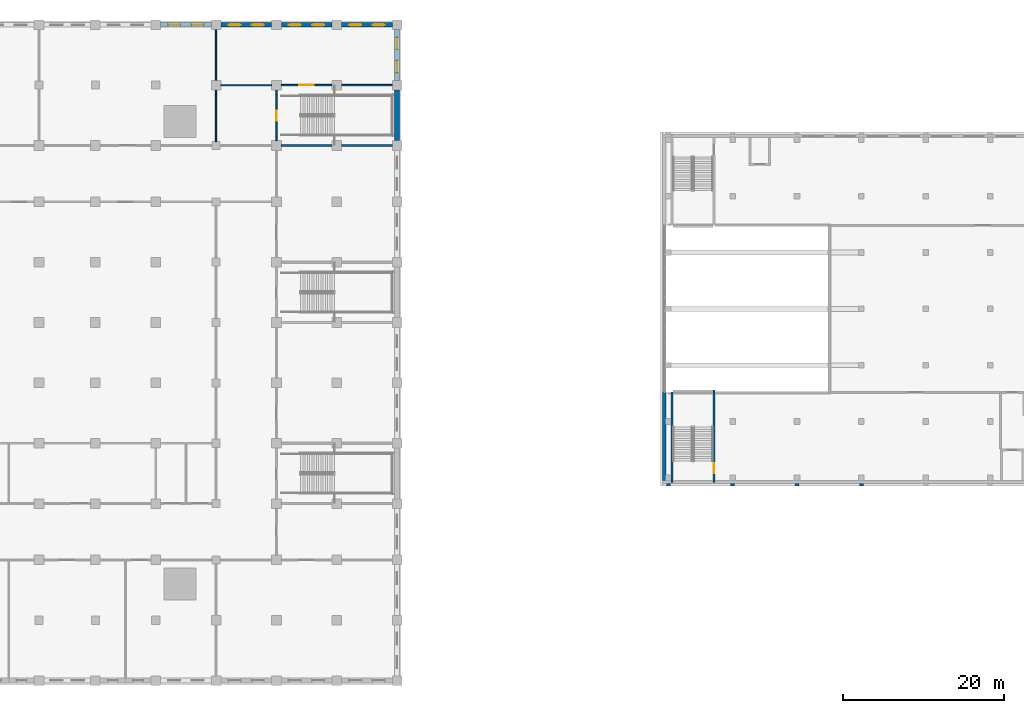
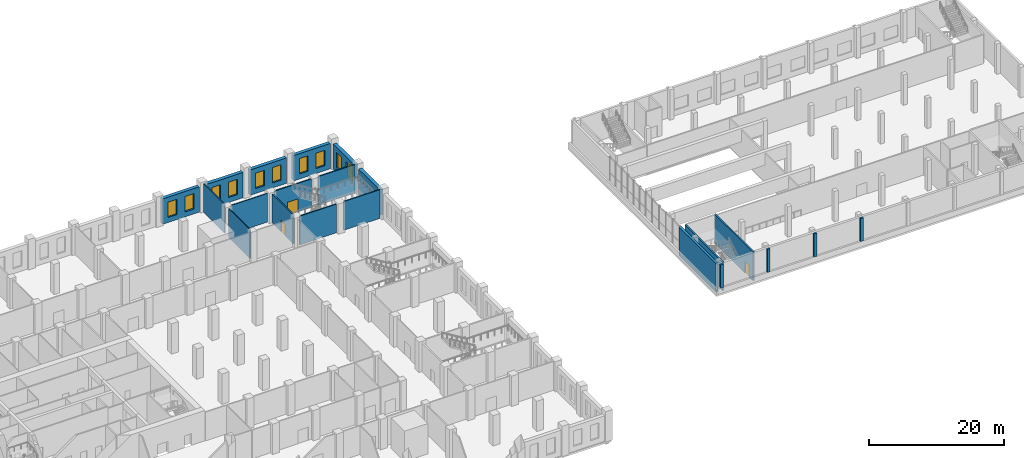
# One storey, part 13 of 35: 21 walls, 10 windows, 3 doors, 13 openings.
"""IFC4 building model written with IfcOpenShell, lengths in metres."""

import ifcopenshell
import ifcopenshell.guid

model = None  # the IFC model being written
_history = None  # IfcOwnerHistory: only IFC2X3 demands one
_inside = {}  # id of a spatial element -> (the spatial element, [elements in it])
_under = {}  # id of a project, library or spatial element -> (it, [spatial elements below it])
_declared = {}  # id of a project -> (the project, [libraries it declares])
_typed = {}  # id of a type object -> (the type object, [elements of that type])
_made_of = {}  # id of a material, layer set ... -> (it, [elements and type objects made of it])


def new_model(schema):
    """Start an empty IFC model of exactly this schema.

    Asked for "IFC4X3", IfcOpenShell would pick the latest addendum, in which some entities
    have other attributes; the version numbers below select the first issue.
    IFC2X3 requires an IfcOwnerHistory on every rooted entity: one is made here for all.
    """
    global model, _history
    if schema == "IFC4X3":
        model = ifcopenshell.file(schema_version=(4, 3, 0, 0))
    else:
        model = ifcopenshell.file(schema=schema)
    _inside.clear()
    _under.clear()
    _declared.clear()
    _typed.clear()
    _made_of.clear()
    _history = None
    if model.schema == "IFC2X3":
        org = make("IfcOrganization", Name="unknown")
        user = make(
            "IfcPersonAndOrganization",
            ThePerson=make("IfcPerson", FamilyName="unknown"),
            TheOrganization=org,
        )
        app = make(
            "IfcApplication",
            ApplicationDeveloper=org,
            Version="unknown",
            ApplicationFullName="unknown",
            ApplicationIdentifier="unknown",
        )
        _history = make(
            "IfcOwnerHistory",
            OwningUser=user,
            OwningApplication=app,
            ChangeAction="ADDED",
            CreationDate=0,
        )
    return model


def make(cls, **values):
    """One entity of the class cls with the attributes given. An attribute that is None is left unset."""
    return model.create_entity(
        cls, **{name: value for name, value in values.items() if value is not None}
    )


def rooted(cls, **values):
    """An entity with a GlobalId (a new one), such as an element, a storey or a relation."""
    return make(cls, GlobalId=ifcopenshell.guid.new(), OwnerHistory=_history, **values)


def si_unit(unit_type, name, prefix=None):
    """IfcSIUnit, for example si_unit("LENGTHUNIT", "METRE", prefix="MILLI")."""
    return make("IfcSIUnit", UnitType=unit_type, Prefix=prefix, Name=name)


def assignment(units):
    """IfcUnitAssignment: the units of a project."""
    return None if units is None else make("IfcUnitAssignment", Units=units)


def point(xyz):
    """IfcCartesianPoint."""
    return None if xyz is None else make("IfcCartesianPoint", Coordinates=xyz)


def direction(xyz):
    """IfcDirection."""
    return None if xyz is None else make("IfcDirection", DirectionRatios=xyz)


def frame(location, z_axis=None, x_axis=None):
    """IfcAxis2Placement3D, a coordinate frame: its origin and axes. An axis left out is left unset."""
    return make(
        "IfcAxis2Placement3D",
        Location=point(location),
        Axis=direction(z_axis),
        RefDirection=direction(x_axis),
    )


def frame_2d(location, x_axis=None):
    """IfcAxis2Placement2D, a coordinate frame in the plane: its origin and x axis."""
    return make(
        "IfcAxis2Placement2D", Location=point(location), RefDirection=direction(x_axis)
    )


def origin():
    """The frame at (0, 0, 0) with its axes left unset."""
    return frame((0.0, 0.0, 0.0))


def place(relative_to, where):
    """IfcLocalPlacement: puts the frame where relative to a parent placement (None: the world)."""
    return make(
        "IfcLocalPlacement", PlacementRelTo=relative_to, RelativePlacement=where
    )


def context(
    kind, dimensions, precision=None, world=None, true_north=None, identifier=None
):
    """IfcGeometricRepresentationContext, for example the 3D "Model" context."""
    return make(
        "IfcGeometricRepresentationContext",
        ContextIdentifier=identifier,
        ContextType=kind,
        CoordinateSpaceDimension=dimensions,
        Precision=precision,
        WorldCoordinateSystem=world,
        TrueNorth=true_north,
    )


def subcontext(parent, identifier, kind, view, scale=None):
    """IfcGeometricRepresentationSubContext, for example "Body" below "Model"."""
    return make(
        "IfcGeometricRepresentationSubContext",
        ContextIdentifier=identifier,
        ContextType=kind,
        ParentContext=parent,
        TargetScale=scale,
        TargetView=view,
    )


def project(units=None, contexts=None):
    """IfcProject with its units and contexts."""
    return rooted(
        "IfcProject",
        Name="project",
        RepresentationContexts=contexts,
        UnitsInContext=assignment(units),
    )


def spatial(cls, under=None, at=None, **own):
    """A site, building, storey or space (cls), placed at a placement, below another one or the project."""
    s = rooted(cls, ObjectPlacement=at, **own)
    if under is not None:
        _under.setdefault(under.id(), (under, []))[1].append(s)
    return s


def profile(cls, at=None, kind="AREA", **sizes):
    """A parametric profile (cls). Its sizes go by their IFC names, for example OverallWidth=200.0."""
    return make(cls, ProfileType=kind, Position=at, **sizes)


def rectangle(**sizes):
    """IfcRectangleProfileDef."""
    return profile("IfcRectangleProfileDef", **sizes)


def extrude(swept, where, along, depth):
    """IfcExtrudedAreaSolid: the profile swept, set in the frame where, extruded along a direction by depth."""
    return make(
        "IfcExtrudedAreaSolid",
        SweptArea=swept,
        Position=where,
        ExtrudedDirection=direction(along),
        Depth=depth,
    )


def shape(context_of_items, identifier, shape_type, items):
    """IfcShapeRepresentation: the items that make up one representation, for example the "Body"."""
    return make(
        "IfcShapeRepresentation",
        ContextOfItems=context_of_items,
        RepresentationIdentifier=identifier,
        RepresentationType=shape_type,
        Items=items,
    )


def material(Name=None, Category=None):
    """IfcMaterial."""
    return make("IfcMaterial", Name=Name, Category=Category)


def layer(
    of_material, thickness, ventilated=None, Name=None, Category=None, Priority=None
):
    """IfcMaterialLayer: one layer of a wall or slab, of a material (None: an air gap)."""
    return make(
        "IfcMaterialLayer",
        Material=of_material,
        LayerThickness=thickness,
        IsVentilated=ventilated,
        Name=Name,
        Category=Category,
        Priority=Priority,
    )


def layer_set(layers, Name=None):
    """IfcMaterialLayerSet."""
    return make("IfcMaterialLayerSet", MaterialLayers=layers, LayerSetName=Name)


def made_of(thing, what):
    """Note that an element or type object is made of a material, layer set ...; save() writes the relation."""
    if what is not None:
        _made_of.setdefault(what.id(), (what, []))[1].append(thing)
    return thing


def type_object(cls, material=None, **own):
    """A type object (cls), such as IfcWallType, which elements share."""
    return made_of(rooted(cls, **own), material)


def element(
    cls,
    number,
    at=None,
    inside=None,
    cuts=None,
    type_object=None,
    material=None,
    context=None,
    identifier="Body",
    shape_type=None,
    held_by="IfcProductDefinitionShape",
    body=None,
    shapes=None,
    **own,
):
    """One element of the class cls, such as IfcWall. Its Tag is "e" and its number.

    at: its placement. inside: the storey or other place that contains it. cuts: it is an
    opening in that element (IfcRelVoidsElement). A single representation is given by context,
    identifier, shape_type and body (its items); several are given by shapes. held_by: the class
    of the entity that holds the representations. save() writes the other relations.
    """
    e = rooted(cls, Tag="e%d" % number, ObjectPlacement=at, **own)
    if body is not None:
        shapes = [shape(context, identifier, shape_type, body)]
    if shapes is not None:
        e.Representation = make(held_by, Representations=shapes)
    if inside is not None:
        _inside.setdefault(inside.id(), (inside, []))[1].append(e)
    if cuts is not None:
        rooted(
            "IfcRelVoidsElement", RelatingBuildingElement=cuts, RelatedOpeningElement=e
        )
    if type_object is not None:
        _typed.setdefault(type_object.id(), (type_object, []))[1].append(e)
    return made_of(e, material)


def fill(opening, filler):
    """IfcRelFillsElement: the door or window that sits in an opening."""
    return rooted(
        "IfcRelFillsElement",
        RelatingOpeningElement=opening,
        RelatedBuildingElement=filler,
    )


def aggregate(whole, parts):
    """IfcRelAggregates: a whole, such as a stair, and the parts it consists of."""
    return rooted("IfcRelAggregates", RelatingObject=whole, RelatedObjects=parts)


def save(model, path):
    """Write the relations noted so far, then the file.

    IfcRelAggregates (storeys below a building ...), IfcRelContainedInSpatialStructure (elements
    in a storey), IfcRelDefinesByType, IfcRelAssociatesMaterial and IfcRelDeclares: one each for
    every whole, place, type object, material and project.
    """
    for whole, parts in _under.values():
        aggregate(whole, parts)
    for where, things in _inside.values():
        rooted(
            "IfcRelContainedInSpatialStructure",
            RelatedElements=things,
            RelatingStructure=where,
        )
    for kind, things in _typed.values():
        rooted("IfcRelDefinesByType", RelatedObjects=things, RelatingType=kind)
    for what, things in _made_of.values():
        rooted("IfcRelAssociatesMaterial", RelatedObjects=things, RelatingMaterial=what)
    for by, libraries in _declared.values():
        rooted("IfcRelDeclares", RelatingContext=by, RelatedDefinitions=libraries)
    model.write(path)


model = new_model("IFC4")

# Units and contexts
model_context = context("Model", 3, precision=1e-05, world=origin(), true_north=direction((0.0, 1.0)))
body_context = subcontext(model_context, "Body", "Model", "MODEL_VIEW")
ifc_project = project(units=[si_unit("LENGTHUNIT", "METRE"), si_unit("AREAUNIT", "SQUARE_METRE"), si_unit("VOLUMEUNIT", "CUBIC_METRE"), si_unit("PLANEANGLEUNIT", "RADIAN"), si_unit("MASSUNIT", "GRAM", prefix="KILO")], contexts=[model_context])

# Site, building, storey
site_placement = place(None, origin())
site = spatial("IfcSite", under=ifc_project, at=site_placement, CompositionType="ELEMENT")
building_placement = place(site_placement, origin())
building = spatial("IfcBuilding", under=site, at=building_placement, Name="Tamorin Gate", CompositionType="ELEMENT")
storey_placement = place(building_placement, frame((0.0, 0.0, 8.0)))
storey = spatial("IfcBuildingStorey", under=building, at=storey_placement, Name="L01", CompositionType="ELEMENT", Elevation=8.0)

# Walls
ifc_material_1 = material(Name="Concrete C40/50", Category="concrete")
ifc_layer_1 = layer(ifc_material_1, 0.39990234375)
ifc_layer_set_1 = layer_set([ifc_layer_1], Name="Board-marked concrete facade wall 400 C40/50")
wall_type_1 = type_object("IfcWallType", Name="Board-marked concrete facade wall 400 C40/50", PredefinedType="SOLIDWALL", material=ifc_layer_set_1)
wall_1_placement = place(storey_placement, frame((145.199951171875, 55.39990234375, 0.0), z_axis=(0.0, 0.0, 1.0), x_axis=(0.0, 1.0, 0.0)))
element("IfcWall", 1, at=wall_1_placement, inside=storey, type_object=wall_type_1, Name="Facade wall", PredefinedType="SOLIDWALL", context=body_context, shape_type="SweptSolid", body=[
    extrude(rectangle(XDim=10.93017578125, YDim=0.39990234375, at=frame_2d((5.465087890625, 0.0))), origin(), (0.0, 0.0, 1.0), 5.199951171875),
])
ifc_layer_2 = layer(ifc_material_1, 0.25)
ifc_layer_set_2 = layer_set([ifc_layer_2], Name="Museum stair and lift enclosure wall 250 C40/50")
wall_type_2 = type_object("IfcWallType", Name="Museum stair and lift enclosure wall 250 C40/50", PredefinedType="SHEAR", material=ifc_layer_set_2)
wall_2_placement = place(storey_placement, frame((146.175048828125, 55.14990234375, 0.0), z_axis=(0.0, 0.0, 1.0), x_axis=(0.0, 1.0, 0.0)))
element("IfcWall", 2, at=wall_2_placement, inside=storey, type_object=wall_type_2, Name="Stair PS8 wall", PredefinedType="SHEAR", context=body_context, shape_type="SweptSolid", body=[
    extrude(rectangle(XDim=11.210205078125, YDim=0.25, at=frame_2d((5.60498046875, 0.0))), origin(), (0.0, 0.0, 1.0), 5.199951171875),
])

# Wall, opening, door
wall_3_placement = place(storey_placement, frame((151.375, 55.14990234375, 0.0), z_axis=(0.0, 0.0, 1.0), x_axis=(0.0, 1.0, 0.0)))
wall_3 = element("IfcWall", 3, at=wall_3_placement, inside=storey, type_object=wall_type_2, Name="Stair PS8 wall", PredefinedType="SHEAR", context=body_context, shape_type="SweptSolid", body=[
    extrude(rectangle(XDim=11.460205078125, YDim=0.25, at=frame_2d((5.72998046875, 0.0))), origin(), (0.0, 0.0, 1.0), 5.199951171875),
])
opening_1_placement = place(wall_3_placement, frame((1.14990234375, 0.0, 0.0)))
opening_1 = element("IfcOpeningElement", 4, at=opening_1_placement, cuts=wall_3, Name="Opening DM15", PredefinedType="OPENING", context=body_context, shape_type="SweptSolid", body=[
    extrude(rectangle(XDim=1.199951171875, YDim=2.10009765625, at=frame_2d((0.60009765625, 1.050048828125))), frame((0.0, 0.135009765625, 0.0), z_axis=(0.0, -1.0, 0.0), x_axis=(1.0, 0.0, 0.0)), (0.0, 0.0, 1.0), 0.27001953125),
])
ifc_material_2 = material(Name="Steel, painted", Category="steel")
door_type_1 = type_object("IfcDoorType", Name="Museum stair door 1200x2100 FD90", OperationType="SINGLE_SWING_LEFT", PredefinedType="DOOR", material=ifc_material_2)
door_1_placement = place(opening_1_placement, origin())
door_1 = element("IfcDoor", 5, at=door_1_placement, inside=storey, type_object=door_type_1, Name="Stair door", OperationType="SINGLE_SWING_LEFT", OverallHeight=2.10009765625, OverallWidth=1.199951171875, PredefinedType="DOOR", context=body_context, shape_type="SweptSolid", body=[
    extrude(rectangle(XDim=1.199951171875, YDim=2.10009765625, at=frame_2d((0.60009765625, 1.050048828125))), frame((0.0, 0.02490234375, 0.0), z_axis=(0.0, -1.0, 0.0), x_axis=(1.0, 0.0, 0.0)), (0.0, 0.0, 1.0), 0.050048828125),
])
fill(opening_1, door_1)

# Walls
ifc_material_3 = material(Name="Concrete masonry C20/25", Category="masonry")
ifc_layer_3 = layer(ifc_material_3, 0.14990234375)
ifc_layer_set_3 = layer_set([ifc_layer_3], Name="Partition 150")
wall_type_3 = type_object("IfcWallType", Name="Partition 150", PredefinedType="PARTITIONING", material=ifc_layer_set_3)
wall_4_placement = place(storey_placement, frame((90.10009765625, 104.5, 0.0), z_axis=(0.0, 0.0, 1.0), x_axis=(1.0, 0.0, 0.0)))
element("IfcWall", 6, at=wall_4_placement, inside=storey, type_object=wall_type_3, Name="Partition 150 L01", PredefinedType="PARTITIONING", context=body_context, shape_type="SweptSolid", body=[
    extrude(rectangle(XDim=6.2998046875, YDim=0.14990234375, at=frame_2d((3.14990234375, 0.0))), origin(), (0.0, 0.0, 1.0), 5.199951171875),
])
wall_5_placement = place(storey_placement, frame((89.5, 97.5, 0.0), z_axis=(0.0, 0.0, 1.0), x_axis=(0.0, 1.0, 0.0)))
element("IfcWall", 7, at=wall_5_placement, inside=storey, type_object=wall_type_3, Name="Partition 150 L01", PredefinedType="PARTITIONING", context=body_context, shape_type="SweptSolid", body=[
    extrude(rectangle(XDim=6.39990234375, YDim=0.14990234375, at=frame_2d((3.199951171875, 0.0))), origin(), (0.0, 0.0, 1.0), 5.199951171875),
])
wall_6_placement = place(storey_placement, frame((89.5, 105.10009765625, 0.0), z_axis=(0.0, 0.0, 1.0), x_axis=(0.0, 1.0, 0.0)))
element("IfcWall", 8, at=wall_6_placement, inside=storey, type_object=wall_type_3, Name="Partition 150 L01", PredefinedType="PARTITIONING", context=body_context, shape_type="SweptSolid", body=[
    extrude(rectangle(XDim=6.2998046875, YDim=0.14990234375, at=frame_2d((3.14990234375, 0.0))), origin(), (0.0, 0.0, 1.0), 5.199951171875),
])

# Wall, openings, windows
ifc_material_4 = material(Name="Precast concrete C40/50", Category="concrete")
ifc_layer_4 = layer(ifc_material_4, 0.60009765625)
ifc_layer_set_4 = layer_set([ifc_layer_4], Name="Precast concrete C40/50")
wall_type_4 = type_object("IfcWallType", Name="Precast plinth wall 600", PredefinedType="PARTITIONING", material=ifc_layer_set_4)
wall_7_placement = place(storey_placement, frame((82.60009765625, 112.0, 0.0), z_axis=(0.0, 0.0, 1.0), x_axis=(1.0, 0.0, 0.0)))
wall_7 = element("IfcWall", 9, at=wall_7_placement, inside=storey, type_object=wall_type_4, Name="Precast plinth wall 600 L01", PredefinedType="PARTITIONING", context=body_context, shape_type="SweptSolid", body=[
    extrude(rectangle(XDim=6.2998046875, YDim=0.60009765625, at=frame_2d((3.14990234375, 0.0))), origin(), (0.0, 0.0, 1.0), 4.60009765625),
])
opening_2_placement = place(wall_7_placement, frame((0.950927734375, 0.0, 0.89990234375)))
opening_2 = element("IfcOpeningElement", 10, at=opening_2_placement, cuts=wall_7, Name="Opening PWN5", PredefinedType="OPENING", context=body_context, shape_type="SweptSolid", body=[
    extrude(rectangle(XDim=1.5, YDim=2.800048828125, at=frame_2d((0.75, 1.39990234375))), frame((0.0, 0.31005859375, 0.0), z_axis=(0.0, -1.0, 0.0), x_axis=(1.0, 0.0, 0.0)), (0.0, 0.0, 1.0), 0.6201171875),
])
opening_3_placement = place(wall_7_placement, frame((3.84912109375, 0.0, 0.89990234375)))
opening_3 = element("IfcOpeningElement", 11, at=opening_3_placement, cuts=wall_7, Name="Opening PWN5", PredefinedType="OPENING", context=body_context, shape_type="SweptSolid", body=[
    extrude(rectangle(XDim=1.5, YDim=2.800048828125, at=frame_2d((0.75, 1.39990234375))), frame((0.0, 0.31005859375, 0.0), z_axis=(0.0, -1.0, 0.0), x_axis=(1.0, 0.0, 0.0)), (0.0, 0.0, 1.0), 0.6201171875),
])
ifc_material_5 = material(Name="Aluminium and glass", Category="aluminium")
window_type = type_object("IfcWindowType", Name="Plinth window 1500x2800", PartitioningType="DOUBLE_PANEL_VERTICAL", PredefinedType="WINDOW", material=ifc_material_5)
window_1_placement = place(opening_2_placement, origin())
window_1 = element("IfcWindow", 12, at=window_1_placement, inside=storey, type_object=window_type, Name="Plinth window 1500x2800", OverallHeight=2.800048828125, OverallWidth=1.5, PartitioningType="SINGLE_PANEL", PredefinedType="WINDOW", context=body_context, shape_type="SweptSolid", body=[
    extrude(rectangle(XDim=1.5, YDim=2.800048828125, at=frame_2d((0.75, 1.39990234375))), frame((0.0, 0.030029296875, 0.0), z_axis=(0.0, -1.0, 0.0), x_axis=(1.0, 0.0, 0.0)), (0.0, 0.0, 1.0), 0.06005859375),
])
fill(opening_2, window_1)
window_2_placement = place(opening_3_placement, origin())
window_2 = element("IfcWindow", 13, at=window_2_placement, inside=storey, type_object=window_type, Name="Plinth window 1500x2800", OverallHeight=2.800048828125, OverallWidth=1.5, PartitioningType="SINGLE_PANEL", PredefinedType="WINDOW", context=body_context, shape_type="SweptSolid", body=[
    extrude(rectangle(XDim=1.5, YDim=2.800048828125, at=frame_2d((0.75, 1.39990234375))), frame((0.0, 0.030029296875, 0.0), z_axis=(0.0, -1.0, 0.0), x_axis=(1.0, 0.0, 0.0)), (0.0, 0.0, 1.0), 0.06005859375),
])
fill(opening_3, window_2)

wall_8_placement = place(storey_placement, frame((90.10009765625, 112.0, 0.0), z_axis=(0.0, 0.0, 1.0), x_axis=(1.0, 0.0, 0.0)))
wall_8 = element("IfcWall", 14, at=wall_8_placement, inside=storey, type_object=wall_type_4, Name="Precast plinth wall 600 L01", PredefinedType="PARTITIONING", context=body_context, shape_type="SweptSolid", body=[
    extrude(rectangle(XDim=6.2998046875, YDim=0.60009765625, at=frame_2d((3.14990234375, 0.0))), origin(), (0.0, 0.0, 1.0), 4.60009765625),
])
opening_4_placement = place(wall_8_placement, frame((0.950927734375, 0.0, 0.89990234375)))
opening_4 = element("IfcOpeningElement", 15, at=opening_4_placement, cuts=wall_8, Name="Opening PWN5", PredefinedType="OPENING", context=body_context, shape_type="SweptSolid", body=[
    extrude(rectangle(XDim=1.5, YDim=2.800048828125, at=frame_2d((0.75, 1.39990234375))), frame((0.0, 0.31005859375, 0.0), z_axis=(0.0, -1.0, 0.0), x_axis=(1.0, 0.0, 0.0)), (0.0, 0.0, 1.0), 0.6201171875),
])
opening_5_placement = place(wall_8_placement, frame((3.84912109375, 0.0, 0.89990234375)))
opening_5 = element("IfcOpeningElement", 16, at=opening_5_placement, cuts=wall_8, Name="Opening PWN5", PredefinedType="OPENING", context=body_context, shape_type="SweptSolid", body=[
    extrude(rectangle(XDim=1.5, YDim=2.800048828125, at=frame_2d((0.75, 1.39990234375))), frame((0.0, 0.31005859375, 0.0), z_axis=(0.0, -1.0, 0.0), x_axis=(1.0, 0.0, 0.0)), (0.0, 0.0, 1.0), 0.6201171875),
])
window_3_placement = place(opening_4_placement, origin())
window_3 = element("IfcWindow", 17, at=window_3_placement, inside=storey, type_object=window_type, Name="Plinth window 1500x2800", OverallHeight=2.800048828125, OverallWidth=1.5, PartitioningType="SINGLE_PANEL", PredefinedType="WINDOW", context=body_context, shape_type="SweptSolid", body=[
    extrude(rectangle(XDim=1.5, YDim=2.800048828125, at=frame_2d((0.75, 1.39990234375))), frame((0.0, 0.030029296875, 0.0), z_axis=(0.0, -1.0, 0.0), x_axis=(1.0, 0.0, 0.0)), (0.0, 0.0, 1.0), 0.06005859375),
])
fill(opening_4, window_3)
window_4_placement = place(opening_5_placement, origin())
window_4 = element("IfcWindow", 18, at=window_4_placement, inside=storey, type_object=window_type, Name="Plinth window 1500x2800", OverallHeight=2.800048828125, OverallWidth=1.5, PartitioningType="SINGLE_PANEL", PredefinedType="WINDOW", context=body_context, shape_type="SweptSolid", body=[
    extrude(rectangle(XDim=1.5, YDim=2.800048828125, at=frame_2d((0.75, 1.39990234375))), frame((0.0, 0.030029296875, 0.0), z_axis=(0.0, -1.0, 0.0), x_axis=(1.0, 0.0, 0.0)), (0.0, 0.0, 1.0), 0.06005859375),
])
fill(opening_5, window_4)

wall_9_placement = place(storey_placement, frame((97.60009765625, 112.0, 0.0), z_axis=(0.0, 0.0, 1.0), x_axis=(1.0, 0.0, 0.0)))
wall_9 = element("IfcWall", 19, at=wall_9_placement, inside=storey, type_object=wall_type_4, Name="Precast plinth wall 600 L01", PredefinedType="PARTITIONING", context=body_context, shape_type="SweptSolid", body=[
    extrude(rectangle(XDim=6.2998046875, YDim=0.60009765625, at=frame_2d((3.14990234375, 0.0))), origin(), (0.0, 0.0, 1.0), 4.60009765625),
])
opening_6_placement = place(wall_9_placement, frame((0.950927734375, 0.0, 0.89990234375)))
opening_6 = element("IfcOpeningElement", 20, at=opening_6_placement, cuts=wall_9, Name="Opening PWN5", PredefinedType="OPENING", context=body_context, shape_type="SweptSolid", body=[
    extrude(rectangle(XDim=1.5, YDim=2.800048828125, at=frame_2d((0.75, 1.39990234375))), frame((0.0, 0.31005859375, 0.0), z_axis=(0.0, -1.0, 0.0), x_axis=(1.0, 0.0, 0.0)), (0.0, 0.0, 1.0), 0.6201171875),
])
opening_7_placement = place(wall_9_placement, frame((3.84912109375, 0.0, 0.89990234375)))
opening_7 = element("IfcOpeningElement", 21, at=opening_7_placement, cuts=wall_9, Name="Opening PWN5", PredefinedType="OPENING", context=body_context, shape_type="SweptSolid", body=[
    extrude(rectangle(XDim=1.5, YDim=2.800048828125, at=frame_2d((0.75, 1.39990234375))), frame((0.0, 0.31005859375, 0.0), z_axis=(0.0, -1.0, 0.0), x_axis=(1.0, 0.0, 0.0)), (0.0, 0.0, 1.0), 0.6201171875),
])
window_5_placement = place(opening_6_placement, origin())
window_5 = element("IfcWindow", 22, at=window_5_placement, inside=storey, type_object=window_type, Name="Plinth window 1500x2800", OverallHeight=2.800048828125, OverallWidth=1.5, PartitioningType="SINGLE_PANEL", PredefinedType="WINDOW", context=body_context, shape_type="SweptSolid", body=[
    extrude(rectangle(XDim=1.5, YDim=2.800048828125, at=frame_2d((0.75, 1.39990234375))), frame((0.0, 0.030029296875, 0.0), z_axis=(0.0, -1.0, 0.0), x_axis=(1.0, 0.0, 0.0)), (0.0, 0.0, 1.0), 0.06005859375),
])
fill(opening_6, window_5)
window_6_placement = place(opening_7_placement, origin())
window_6 = element("IfcWindow", 23, at=window_6_placement, inside=storey, type_object=window_type, Name="Plinth window 1500x2800", OverallHeight=2.800048828125, OverallWidth=1.5, PartitioningType="SINGLE_PANEL", PredefinedType="WINDOW", context=body_context, shape_type="SweptSolid", body=[
    extrude(rectangle(XDim=1.5, YDim=2.800048828125, at=frame_2d((0.75, 1.39990234375))), frame((0.0, 0.030029296875, 0.0), z_axis=(0.0, -1.0, 0.0), x_axis=(1.0, 0.0, 0.0)), (0.0, 0.0, 1.0), 0.06005859375),
])
fill(opening_7, window_6)

wall_10_placement = place(storey_placement, frame((105.10009765625, 112.0, 0.0), z_axis=(0.0, 0.0, 1.0), x_axis=(1.0, 0.0, 0.0)))
wall_10 = element("IfcWall", 24, at=wall_10_placement, inside=storey, type_object=wall_type_4, Name="Precast plinth wall 600 L01", PredefinedType="PARTITIONING", context=body_context, shape_type="SweptSolid", body=[
    extrude(rectangle(XDim=6.2998046875, YDim=0.60009765625, at=frame_2d((3.14990234375, 0.0))), origin(), (0.0, 0.0, 1.0), 4.60009765625),
])
opening_8_placement = place(wall_10_placement, frame((0.950927734375, 0.0, 0.89990234375)))
opening_8 = element("IfcOpeningElement", 25, at=opening_8_placement, cuts=wall_10, Name="Opening PWN5", PredefinedType="OPENING", context=body_context, shape_type="SweptSolid", body=[
    extrude(rectangle(XDim=1.5, YDim=2.800048828125, at=frame_2d((0.75, 1.39990234375))), frame((0.0, 0.31005859375, 0.0), z_axis=(0.0, -1.0, 0.0), x_axis=(1.0, 0.0, 0.0)), (0.0, 0.0, 1.0), 0.6201171875),
])
opening_9_placement = place(wall_10_placement, frame((3.84912109375, 0.0, 0.89990234375)))
opening_9 = element("IfcOpeningElement", 26, at=opening_9_placement, cuts=wall_10, Name="Opening PWN5", PredefinedType="OPENING", context=body_context, shape_type="SweptSolid", body=[
    extrude(rectangle(XDim=1.5, YDim=2.800048828125, at=frame_2d((0.75, 1.39990234375))), frame((0.0, 0.31005859375, 0.0), z_axis=(0.0, -1.0, 0.0), x_axis=(1.0, 0.0, 0.0)), (0.0, 0.0, 1.0), 0.6201171875),
])
window_7_placement = place(opening_8_placement, origin())
window_7 = element("IfcWindow", 27, at=window_7_placement, inside=storey, type_object=window_type, Name="Plinth window 1500x2800", OverallHeight=2.800048828125, OverallWidth=1.5, PartitioningType="SINGLE_PANEL", PredefinedType="WINDOW", context=body_context, shape_type="SweptSolid", body=[
    extrude(rectangle(XDim=1.5, YDim=2.800048828125, at=frame_2d((0.75, 1.39990234375))), frame((0.0, 0.030029296875, 0.0), z_axis=(0.0, -1.0, 0.0), x_axis=(1.0, 0.0, 0.0)), (0.0, 0.0, 1.0), 0.06005859375),
])
fill(opening_8, window_7)
window_8_placement = place(opening_9_placement, origin())
window_8 = element("IfcWindow", 28, at=window_8_placement, inside=storey, type_object=window_type, Name="Plinth window 1500x2800", OverallHeight=2.800048828125, OverallWidth=1.5, PartitioningType="SINGLE_PANEL", PredefinedType="WINDOW", context=body_context, shape_type="SweptSolid", body=[
    extrude(rectangle(XDim=1.5, YDim=2.800048828125, at=frame_2d((0.75, 1.39990234375))), frame((0.0, 0.030029296875, 0.0), z_axis=(0.0, -1.0, 0.0), x_axis=(1.0, 0.0, 0.0)), (0.0, 0.0, 1.0), 0.06005859375),
])
fill(opening_9, window_8)

# Wall
wall_11_placement = place(storey_placement, frame((112.0, 97.60009765625, 0.0), z_axis=(0.0, 0.0, 1.0), x_axis=(0.0, 1.0, 0.0)))
element("IfcWall", 29, at=wall_11_placement, inside=storey, type_object=wall_type_4, Name="Precast plinth wall 600 L01", PredefinedType="PARTITIONING", context=body_context, shape_type="SweptSolid", body=[
    extrude(rectangle(XDim=6.2998046875, YDim=0.60009765625, at=frame_2d((3.14990234375, 0.0))), origin(), (0.0, 0.0, 1.0), 4.60009765625),
])

# Wall, openings, windows
wall_12_placement = place(storey_placement, frame((112.0, 105.10009765625, 0.0), z_axis=(0.0, 0.0, 1.0), x_axis=(0.0, 1.0, 0.0)))
wall_12 = element("IfcWall", 30, at=wall_12_placement, inside=storey, type_object=wall_type_4, Name="Precast plinth wall 600 L01", PredefinedType="PARTITIONING", context=body_context, shape_type="SweptSolid", body=[
    extrude(rectangle(XDim=6.2998046875, YDim=0.60009765625, at=frame_2d((3.14990234375, 0.0))), origin(), (0.0, 0.0, 1.0), 4.60009765625),
])
opening_10_placement = place(wall_12_placement, frame((0.950927734375, 0.0, 0.89990234375)))
opening_10 = element("IfcOpeningElement", 31, at=opening_10_placement, cuts=wall_12, Name="Opening PWN5", PredefinedType="OPENING", context=body_context, shape_type="SweptSolid", body=[
    extrude(rectangle(XDim=1.5, YDim=2.800048828125, at=frame_2d((0.75, 1.39990234375))), frame((0.0, 0.31005859375, 0.0), z_axis=(0.0, -1.0, 0.0), x_axis=(1.0, 0.0, 0.0)), (0.0, 0.0, 1.0), 0.6201171875),
])
opening_11_placement = place(wall_12_placement, frame((3.84912109375, 0.0, 0.89990234375)))
opening_11 = element("IfcOpeningElement", 32, at=opening_11_placement, cuts=wall_12, Name="Opening PWN5", PredefinedType="OPENING", context=body_context, shape_type="SweptSolid", body=[
    extrude(rectangle(XDim=1.5, YDim=2.800048828125, at=frame_2d((0.75, 1.39990234375))), frame((0.0, 0.31005859375, 0.0), z_axis=(0.0, -1.0, 0.0), x_axis=(1.0, 0.0, 0.0)), (0.0, 0.0, 1.0), 0.6201171875),
])
window_9_placement = place(opening_10_placement, origin())
window_9 = element("IfcWindow", 33, at=window_9_placement, inside=storey, type_object=window_type, Name="Plinth window 1500x2800", OverallHeight=2.800048828125, OverallWidth=1.5, PartitioningType="SINGLE_PANEL", PredefinedType="WINDOW", context=body_context, shape_type="SweptSolid", body=[
    extrude(rectangle(XDim=1.5, YDim=2.800048828125, at=frame_2d((0.75, 1.39990234375))), frame((0.0, 0.030029296875, 0.0), z_axis=(0.0, -1.0, 0.0), x_axis=(1.0, 0.0, 0.0)), (0.0, 0.0, 1.0), 0.06005859375),
])
fill(opening_10, window_9)
window_10_placement = place(opening_11_placement, origin())
window_10 = element("IfcWindow", 34, at=window_10_placement, inside=storey, type_object=window_type, Name="Plinth window 1500x2800", OverallHeight=2.800048828125, OverallWidth=1.5, PartitioningType="SINGLE_PANEL", PredefinedType="WINDOW", context=body_context, shape_type="SweptSolid", body=[
    extrude(rectangle(XDim=1.5, YDim=2.800048828125, at=frame_2d((0.75, 1.39990234375))), frame((0.0, 0.030029296875, 0.0), z_axis=(0.0, -1.0, 0.0), x_axis=(1.0, 0.0, 0.0)), (0.0, 0.0, 1.0), 0.06005859375),
])
fill(opening_11, window_10)

# Walls
ifc_layer_5 = layer(ifc_material_1, 0.5)
ifc_layer_set_5 = layer_set([ifc_layer_5], Name="Precast rib wall 500 C40/50")
wall_type_5 = type_object("IfcWallType", Name="Precast rib wall 500 C40/50", PredefinedType="STANDARD", material=ifc_layer_set_5)
for number, where, z_axis, x_axis, name in (
    (35, (145.699951171875, 54.699951171875, 1.0), (0.0, 0.0, 1.0), (0.0, 1.0, 0.0), "Precast rib"),
    (36, (153.699951171875, 54.699951171875, 1.0), (0.0, 0.0, 1.0), (0.0, 1.0, 0.0), "Precast rib"),
    (37, (161.699951171875, 54.699951171875, 1.0), (0.0, 0.0, 1.0), (0.0, 1.0, 0.0), "Precast rib"),
    (38, (169.699951171875, 54.699951171875, 1.0), (0.0, 0.0, 1.0), (0.0, 1.0, 0.0), "Precast rib"),
):
    element("IfcWall", number, at=place(storey_placement, frame(where, z_axis=z_axis, x_axis=x_axis)), inside=storey, type_object=wall_type_5, Name=name, PredefinedType="STANDARD", context=body_context, shape_type="SweptSolid", body=[
        extrude(rectangle(XDim=0.300048828125, YDim=0.5, at=frame_2d((0.14990234375, 0.0))), origin(), (0.0, 0.0, 1.0), 4.199951171875),
    ])
ifc_layer_6 = layer(ifc_material_1, 0.199951171875)
ifc_layer_set_6 = layer_set([ifc_layer_6], Name="Stair enclosure 200")
wall_type_6 = type_object("IfcWallType", Name="Stair enclosure 200", PredefinedType="SHEAR", material=ifc_layer_set_6)
for number, where, z_axis, x_axis, name in (
    (39, (97.60009765625, 97.0, 0.0), (0.0, 0.0, 1.0), (1.0, 0.0, 0.0), "Stair enclosure 200 L01"),
    (40, (105.10009765625, 97.0, 0.0), (0.0, 0.0, 1.0), (1.0, 0.0, 0.0), "Stair enclosure 200 L01"),
):
    element("IfcWall", number, at=place(storey_placement, frame(where, z_axis=z_axis, x_axis=x_axis)), inside=storey, type_object=wall_type_6, Name=name, PredefinedType="SHEAR", context=body_context, shape_type="SweptSolid", body=[
        extrude(rectangle(XDim=6.2998046875, YDim=0.199951171875, at=frame_2d((3.14990234375, 0.0))), origin(), (0.0, 0.0, 1.0), 5.199951171875),
    ])

# Wall, opening, door
wall_13_placement = place(storey_placement, frame((103.89990234375, 104.5, 0.0), z_axis=(0.0, 0.0, 1.0), x_axis=(-1.0, 0.0, 0.0)))
wall_13 = element("IfcWall", 41, at=wall_13_placement, inside=storey, type_object=wall_type_6, Name="Stair enclosure 200 L01", PredefinedType="SHEAR", context=body_context, shape_type="SweptSolid", body=[
    extrude(rectangle(XDim=6.2998046875, YDim=0.199951171875, at=frame_2d((3.14990234375, 0.0))), origin(), (0.0, 0.0, 1.0), 5.199951171875),
])
opening_12_placement = place(wall_13_placement, frame((2.25, 0.0, 0.0)))
opening_12 = element("IfcOpeningElement", 42, at=opening_12_placement, cuts=wall_13, Name="Opening DP3", PredefinedType="OPENING", context=body_context, shape_type="SweptSolid", body=[
    extrude(rectangle(XDim=1.800048828125, YDim=2.39990234375, at=frame_2d((0.89990234375, 1.199951171875))), frame((0.0, 0.10986328125, 0.0), z_axis=(0.0, -1.0, 0.0), x_axis=(1.0, 0.0, 0.0)), (0.0, 0.0, 1.0), 0.219970703125),
])
ifc_material_6 = material(Name="Steel and glass", Category="steel")
door_type_2 = type_object("IfcDoorType", Name="Door pair 1800", OperationType="DOUBLE_DOOR_SINGLE_SWING", PredefinedType="DOOR", material=ifc_material_6)
door_2_placement = place(opening_12_placement, origin())
door_2 = element("IfcDoor", 43, at=door_2_placement, inside=storey, type_object=door_type_2, Name="Door pair 1800 L01", OperationType="SINGLE_SWING_LEFT", OverallHeight=2.39990234375, OverallWidth=1.800048828125, PredefinedType="DOOR", context=body_context, shape_type="SweptSolid", body=[
    extrude(rectangle(XDim=1.800048828125, YDim=2.39990234375, at=frame_2d((0.89990234375, 1.199951171875))), frame((0.0, 0.02490234375, 0.0), z_axis=(0.0, -1.0, 0.0), x_axis=(1.0, 0.0, 0.0)), (0.0, 0.0, 1.0), 0.050048828125),
])
fill(opening_12, door_2)

# Wall
wall_14_placement = place(storey_placement, frame((105.10009765625, 104.5, 0.0), z_axis=(0.0, 0.0, 1.0), x_axis=(1.0, 0.0, 0.0)))
element("IfcWall", 44, at=wall_14_placement, inside=storey, type_object=wall_type_6, Name="Stair enclosure 200 L01", PredefinedType="SHEAR", context=body_context, shape_type="SweptSolid", body=[
    extrude(rectangle(XDim=6.2998046875, YDim=0.199951171875, at=frame_2d((3.14990234375, 0.0))), origin(), (0.0, 0.0, 1.0), 5.199951171875),
])

# Wall, opening, door
wall_15_placement = place(storey_placement, frame((97.0, 103.89990234375, 0.0), z_axis=(0.0, 0.0, 1.0), x_axis=(0.0, -1.0, 0.0)))
wall_15 = element("IfcWall", 45, at=wall_15_placement, inside=storey, type_object=wall_type_6, Name="Stair enclosure 200 L01", PredefinedType="SHEAR", context=body_context, shape_type="SweptSolid", body=[
    extrude(rectangle(XDim=6.2998046875, YDim=0.199951171875, at=frame_2d((3.14990234375, 0.0))), origin(), (0.0, 0.0, 1.0), 5.199951171875),
])
opening_13_placement = place(wall_15_placement, frame((2.60009765625, 0.0, 0.0)))
opening_13 = element("IfcOpeningElement", 46, at=opening_13_placement, cuts=wall_15, Name="Opening DP5", PredefinedType="OPENING", context=body_context, shape_type="SweptSolid", body=[
    extrude(rectangle(XDim=1.199951171875, YDim=2.10009765625, at=frame_2d((0.60009765625, 1.050048828125))), frame((0.0, 0.10986328125, 0.0), z_axis=(0.0, -1.0, 0.0), x_axis=(1.0, 0.0, 0.0)), (0.0, 0.0, 1.0), 0.219970703125),
])
ifc_material_7 = material(Name="Painted steel", Category="steel")
door_type_3 = type_object("IfcDoorType", Name="Stair door 1200", OperationType="SINGLE_SWING_LEFT", PredefinedType="DOOR", material=ifc_material_7)
door_3_placement = place(opening_13_placement, origin())
door_3 = element("IfcDoor", 47, at=door_3_placement, inside=storey, type_object=door_type_3, Name="Stair door 1200 L01", OperationType="SINGLE_SWING_LEFT", OverallHeight=2.10009765625, OverallWidth=1.199951171875, PredefinedType="DOOR", context=body_context, shape_type="SweptSolid", body=[
    extrude(rectangle(XDim=1.199951171875, YDim=2.10009765625, at=frame_2d((0.60009765625, 1.050048828125))), frame((0.0, 0.02490234375, 0.0), z_axis=(0.0, -1.0, 0.0), x_axis=(1.0, 0.0, 0.0)), (0.0, 0.0, 1.0), 0.050048828125),
])
fill(opening_13, door_3)

save(model, "model.ifc")
